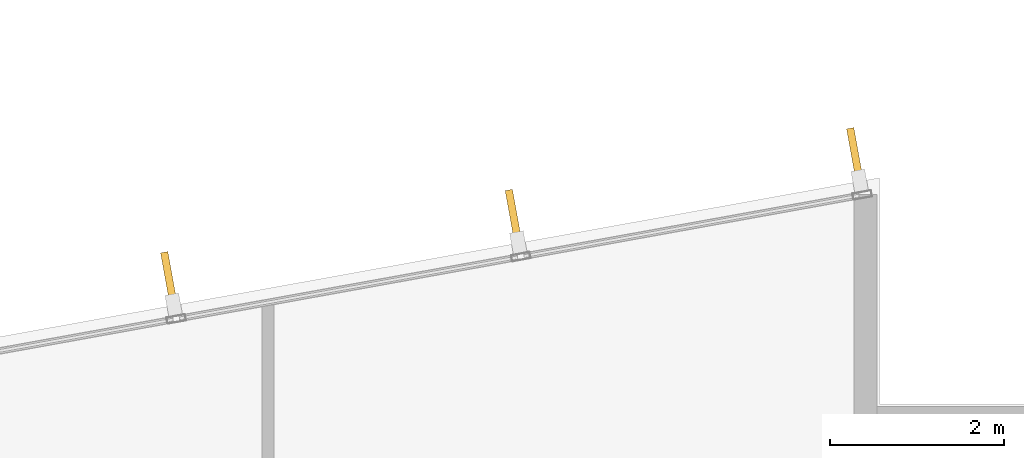
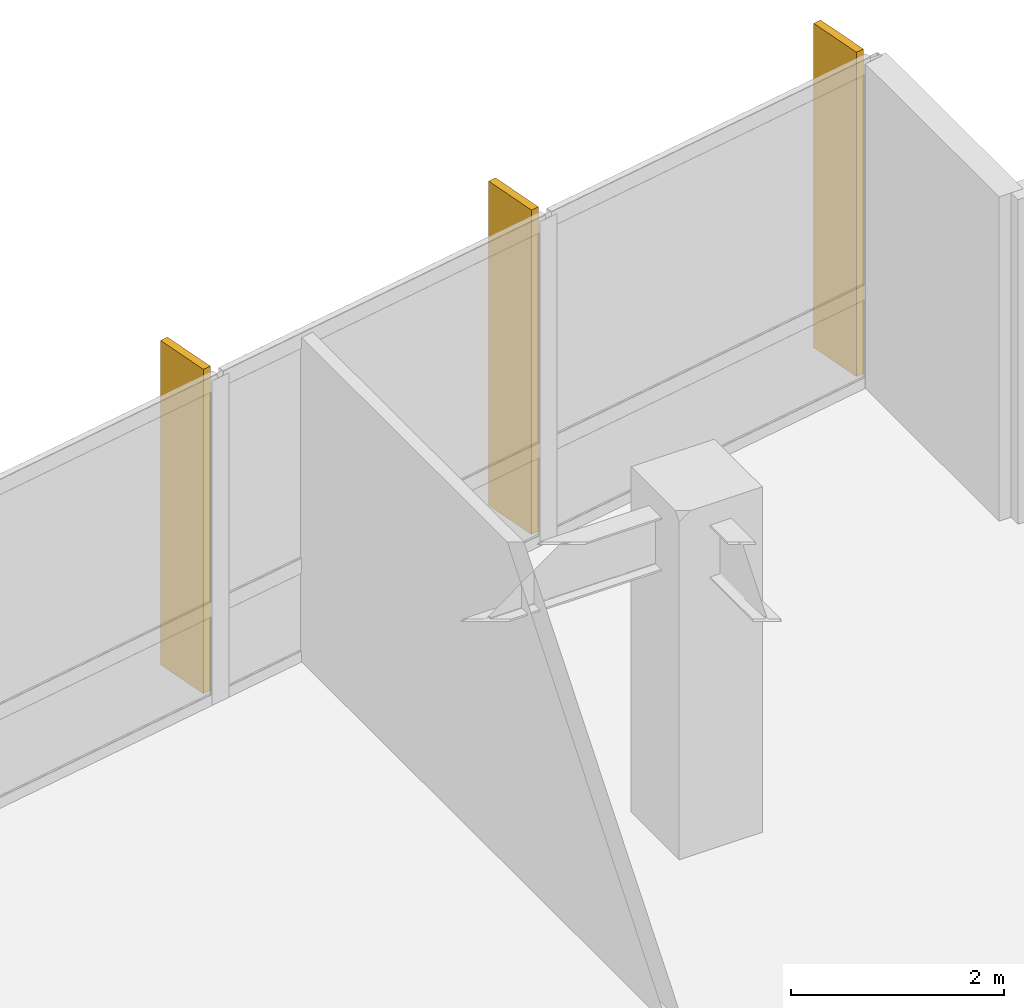
# One storey, part 18 of 18: 3 shading devices.
"""IFC4 building model written with IfcOpenShell, lengths in metres."""

from ifc_helpers import new_model, si_unit, direction, frame, origin, origin_2d, place, context, subcontext, project, spatial, rectangle, extrude, material, layer, layer_set, type_object, element, save


model = new_model("IFC4")

# Units and contexts
model_context = context("Model", 3, precision=1e-05, world=origin(), true_north=direction((0.0, 1.0)))
body_context = subcontext(model_context, "Body", "Model", "MODEL_VIEW")
ifc_project = project(units=[si_unit("LENGTHUNIT", "METRE"), si_unit("AREAUNIT", "SQUARE_METRE"), si_unit("VOLUMEUNIT", "CUBIC_METRE"), si_unit("PLANEANGLEUNIT", "RADIAN"), si_unit("MASSUNIT", "GRAM", prefix="KILO")], contexts=[model_context])

# Site, building, storey
site_placement = place(None, origin())
site = spatial("IfcSite", under=ifc_project, at=site_placement, CompositionType="ELEMENT")
building_placement = place(site_placement, origin())
building = spatial("IfcBuilding", under=site, at=building_placement, Name="Varnakote Quay Hospital", CompositionType="ELEMENT")
storey_placement = place(building_placement, frame((0.0, 0.0, 73.85009765625)))
storey = spatial("IfcBuildingStorey", under=building, at=storey_placement, Name="L18", CompositionType="ELEMENT", Elevation=73.85009765625)

# Shading devices
ifc_material = material(Name="Anodised aluminium 6063-T6 Bronze", Category="aluminium")
ifc_layer = layer(ifc_material, 0.0849609375)
ifc_layer_set = layer_set([ifc_layer], Name="Anodised aluminium 6063-T6 Bronze")
shading_device_type = type_object("IfcShadingDeviceType", Name="SHD-BRONZE-FIN-620", PredefinedType="USERDEFINED", material=ifc_layer_set)
for number, where, z_axis, x_axis, name in (
    (1, (55.319580078125, 34.664306640625, 0.0), (0.0, 0.0, 1.0), (0.177771795263, -0.984071739666, 0.0), "L18 Anodised Bronze Vertical Shading FIN"),
    (2, (51.393798828125, 33.954833984375, 0.0), (0.0, 0.0, 1.0), (0.177771795263, -0.984071739666, 0.0), "L18 Anodised Bronze Vertical Shading FIN"),
    (3, (47.43115234375, 33.23876953125, 0.0), (0.0, 0.0, 1.0), (0.177771795263, -0.984071739666, 0.0), "L18 Anodised Bronze Vertical Shading FIN"),
):
    element("IfcShadingDevice", number, at=place(storey_placement, frame(where, z_axis=z_axis, x_axis=x_axis)), inside=storey, type_object=shading_device_type, Name=name, ObjectType="FIN", PredefinedType="USERDEFINED", context=body_context, shape_type="SweptSolid", body=[
        extrude(rectangle(XDim=0.6201171875, YDim=0.0849609375, at=origin_2d()), origin(), (0.0, 0.0, 1.0), 3.7099609375),
    ])

save(model, "model.ifc")
